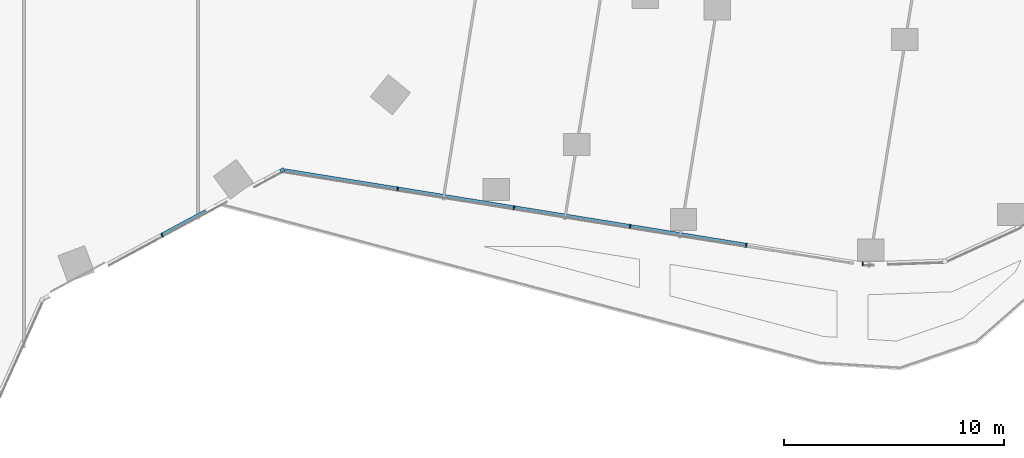
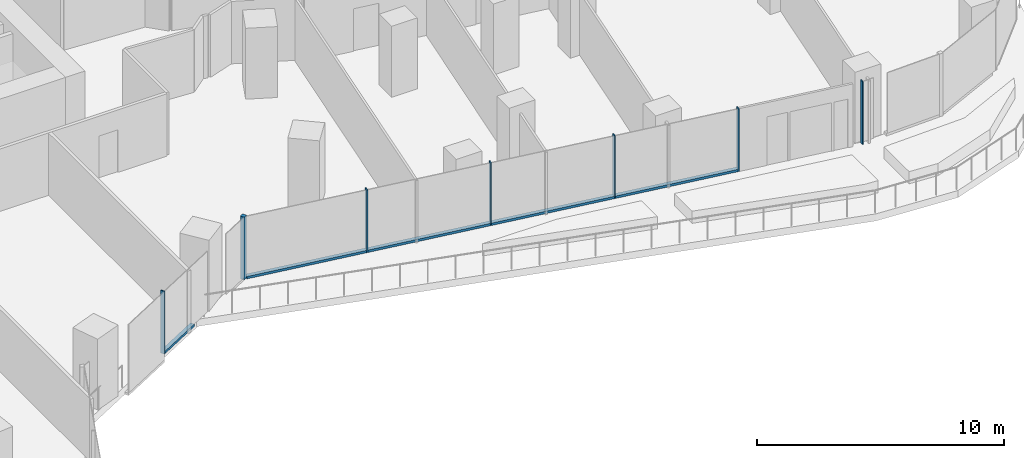
# One storey, part 7 of 32: 9 members, 2 elements without a shape of their own.
"""IFC4 building model written with IfcOpenShell, lengths in metres."""

import ifcopenshell
import ifcopenshell.guid

model = None  # the IFC model being written
_history = None  # IfcOwnerHistory: only IFC2X3 demands one
_inside = {}  # id of a spatial element -> (the spatial element, [elements in it])
_under = {}  # id of a project, library or spatial element -> (it, [spatial elements below it])
_declared = {}  # id of a project -> (the project, [libraries it declares])
_typed = {}  # id of a type object -> (the type object, [elements of that type])
_made_of = {}  # id of a material, layer set ... -> (it, [elements and type objects made of it])


def new_model(schema):
    """Start an empty IFC model of exactly this schema.

    Asked for "IFC4X3", IfcOpenShell would pick the latest addendum, in which some entities
    have other attributes; the version numbers below select the first issue.
    IFC2X3 requires an IfcOwnerHistory on every rooted entity: one is made here for all.
    """
    global model, _history
    if schema == "IFC4X3":
        model = ifcopenshell.file(schema_version=(4, 3, 0, 0))
    else:
        model = ifcopenshell.file(schema=schema)
    _inside.clear()
    _under.clear()
    _declared.clear()
    _typed.clear()
    _made_of.clear()
    _history = None
    if model.schema == "IFC2X3":
        org = make("IfcOrganization", Name="unknown")
        user = make(
            "IfcPersonAndOrganization",
            ThePerson=make("IfcPerson", FamilyName="unknown"),
            TheOrganization=org,
        )
        app = make(
            "IfcApplication",
            ApplicationDeveloper=org,
            Version="unknown",
            ApplicationFullName="unknown",
            ApplicationIdentifier="unknown",
        )
        _history = make(
            "IfcOwnerHistory",
            OwningUser=user,
            OwningApplication=app,
            ChangeAction="ADDED",
            CreationDate=0,
        )
    return model


def make(cls, **values):
    """One entity of the class cls with the attributes given. An attribute that is None is left unset."""
    return model.create_entity(
        cls, **{name: value for name, value in values.items() if value is not None}
    )


def rooted(cls, **values):
    """An entity with a GlobalId (a new one), such as an element, a storey or a relation."""
    return make(cls, GlobalId=ifcopenshell.guid.new(), OwnerHistory=_history, **values)


def si_unit(unit_type, name, prefix=None):
    """IfcSIUnit, for example si_unit("LENGTHUNIT", "METRE", prefix="MILLI")."""
    return make("IfcSIUnit", UnitType=unit_type, Prefix=prefix, Name=name)


def assignment(units):
    """IfcUnitAssignment: the units of a project."""
    return None if units is None else make("IfcUnitAssignment", Units=units)


def point(xyz):
    """IfcCartesianPoint."""
    return None if xyz is None else make("IfcCartesianPoint", Coordinates=xyz)


def direction(xyz):
    """IfcDirection."""
    return None if xyz is None else make("IfcDirection", DirectionRatios=xyz)


def frame(location, z_axis=None, x_axis=None):
    """IfcAxis2Placement3D, a coordinate frame: its origin and axes. An axis left out is left unset."""
    return make(
        "IfcAxis2Placement3D",
        Location=point(location),
        Axis=direction(z_axis),
        RefDirection=direction(x_axis),
    )


def frame_2d(location, x_axis=None):
    """IfcAxis2Placement2D, a coordinate frame in the plane: its origin and x axis."""
    return make(
        "IfcAxis2Placement2D", Location=point(location), RefDirection=direction(x_axis)
    )


def origin():
    """The frame at (0, 0, 0) with its axes left unset."""
    return frame((0.0, 0.0, 0.0))


def origin_2d():
    """The frame at (0, 0) in the plane with its x axis left unset."""
    return frame_2d((0.0, 0.0))


def place(relative_to, where):
    """IfcLocalPlacement: puts the frame where relative to a parent placement (None: the world)."""
    return make(
        "IfcLocalPlacement", PlacementRelTo=relative_to, RelativePlacement=where
    )


def context(
    kind, dimensions, precision=None, world=None, true_north=None, identifier=None
):
    """IfcGeometricRepresentationContext, for example the 3D "Model" context."""
    return make(
        "IfcGeometricRepresentationContext",
        ContextIdentifier=identifier,
        ContextType=kind,
        CoordinateSpaceDimension=dimensions,
        Precision=precision,
        WorldCoordinateSystem=world,
        TrueNorth=true_north,
    )


def subcontext(parent, identifier, kind, view, scale=None):
    """IfcGeometricRepresentationSubContext, for example "Body" below "Model"."""
    return make(
        "IfcGeometricRepresentationSubContext",
        ContextIdentifier=identifier,
        ContextType=kind,
        ParentContext=parent,
        TargetScale=scale,
        TargetView=view,
    )


def project(units=None, contexts=None):
    """IfcProject with its units and contexts."""
    return rooted(
        "IfcProject",
        Name="project",
        RepresentationContexts=contexts,
        UnitsInContext=assignment(units),
    )


def spatial(cls, under=None, at=None, **own):
    """A site, building, storey or space (cls), placed at a placement, below another one or the project."""
    s = rooted(cls, ObjectPlacement=at, **own)
    if under is not None:
        _under.setdefault(under.id(), (under, []))[1].append(s)
    return s


def profile(cls, at=None, kind="AREA", **sizes):
    """A parametric profile (cls). Its sizes go by their IFC names, for example OverallWidth=200.0."""
    return make(cls, ProfileType=kind, Position=at, **sizes)


def rectangle(**sizes):
    """IfcRectangleProfileDef."""
    return profile("IfcRectangleProfileDef", **sizes)


def extrude(swept, where, along, depth):
    """IfcExtrudedAreaSolid: the profile swept, set in the frame where, extruded along a direction by depth."""
    return make(
        "IfcExtrudedAreaSolid",
        SweptArea=swept,
        Position=where,
        ExtrudedDirection=direction(along),
        Depth=depth,
    )


def shape(context_of_items, identifier, shape_type, items):
    """IfcShapeRepresentation: the items that make up one representation, for example the "Body"."""
    return make(
        "IfcShapeRepresentation",
        ContextOfItems=context_of_items,
        RepresentationIdentifier=identifier,
        RepresentationType=shape_type,
        Items=items,
    )


def material(Name=None, Category=None):
    """IfcMaterial."""
    return make("IfcMaterial", Name=Name, Category=Category)


def material_profile(
    of_material, cross_section, Name=None, Category=None, Priority=None
):
    """IfcMaterialProfile: a cross section and its material."""
    return make(
        "IfcMaterialProfile",
        Name=Name,
        Material=of_material,
        Profile=cross_section,
        Priority=Priority,
        Category=Category,
    )


def profile_set(profiles, Name=None, composite=None):
    """IfcMaterialProfileSet."""
    return make(
        "IfcMaterialProfileSet",
        Name=Name,
        MaterialProfiles=profiles,
        CompositeProfile=composite,
    )


def made_of(thing, what):
    """Note that an element or type object is made of a material, layer set ...; save() writes the relation."""
    if what is not None:
        _made_of.setdefault(what.id(), (what, []))[1].append(thing)
    return thing


def type_object(cls, material=None, **own):
    """A type object (cls), such as IfcWallType, which elements share."""
    return made_of(rooted(cls, **own), material)


def element(
    cls,
    number,
    at=None,
    inside=None,
    cuts=None,
    type_object=None,
    material=None,
    context=None,
    identifier="Body",
    shape_type=None,
    held_by="IfcProductDefinitionShape",
    body=None,
    shapes=None,
    **own,
):
    """One element of the class cls, such as IfcWall. Its Tag is "e" and its number.

    at: its placement. inside: the storey or other place that contains it. cuts: it is an
    opening in that element (IfcRelVoidsElement). A single representation is given by context,
    identifier, shape_type and body (its items); several are given by shapes. held_by: the class
    of the entity that holds the representations. save() writes the other relations.
    """
    e = rooted(cls, Tag="e%d" % number, ObjectPlacement=at, **own)
    if body is not None:
        shapes = [shape(context, identifier, shape_type, body)]
    if shapes is not None:
        e.Representation = make(held_by, Representations=shapes)
    if inside is not None:
        _inside.setdefault(inside.id(), (inside, []))[1].append(e)
    if cuts is not None:
        rooted(
            "IfcRelVoidsElement", RelatingBuildingElement=cuts, RelatedOpeningElement=e
        )
    if type_object is not None:
        _typed.setdefault(type_object.id(), (type_object, []))[1].append(e)
    return made_of(e, material)


def aggregate(whole, parts):
    """IfcRelAggregates: a whole, such as a stair, and the parts it consists of."""
    return rooted("IfcRelAggregates", RelatingObject=whole, RelatedObjects=parts)


def save(model, path):
    """Write the relations noted so far, then the file.

    IfcRelAggregates (storeys below a building ...), IfcRelContainedInSpatialStructure (elements
    in a storey), IfcRelDefinesByType, IfcRelAssociatesMaterial and IfcRelDeclares: one each for
    every whole, place, type object, material and project.
    """
    for whole, parts in _under.values():
        aggregate(whole, parts)
    for where, things in _inside.values():
        rooted(
            "IfcRelContainedInSpatialStructure",
            RelatedElements=things,
            RelatingStructure=where,
        )
    for kind, things in _typed.values():
        rooted("IfcRelDefinesByType", RelatedObjects=things, RelatingType=kind)
    for what, things in _made_of.values():
        rooted("IfcRelAssociatesMaterial", RelatedObjects=things, RelatingMaterial=what)
    for by, libraries in _declared.values():
        rooted("IfcRelDeclares", RelatingContext=by, RelatedDefinitions=libraries)
    model.write(path)


model = new_model("IFC4")

# Units and contexts
model_context = context("Model", 3, precision=1e-05, world=origin(), true_north=direction((0.0, 1.0)))
body_context = subcontext(model_context, "Body", "Model", "MODEL_VIEW")
ifc_project = project(units=[si_unit("LENGTHUNIT", "METRE"), si_unit("AREAUNIT", "SQUARE_METRE"), si_unit("VOLUMEUNIT", "CUBIC_METRE"), si_unit("PLANEANGLEUNIT", "RADIAN"), si_unit("MASSUNIT", "GRAM", prefix="KILO")], contexts=[model_context])

# Site, building, storey
site_placement = place(None, origin())
site = spatial("IfcSite", under=ifc_project, at=site_placement, CompositionType="ELEMENT")
building_placement = place(site_placement, origin())
building = spatial("IfcBuilding", under=site, at=building_placement, Name="Orlundy Tower", CompositionType="ELEMENT")
storey_placement = place(building_placement, frame((0.0, 0.0, 123.699951171875)))
storey = spatial("IfcBuildingStorey", under=building, at=storey_placement, Name="L31", CompositionType="ELEMENT", Elevation=123.699951171875)

# Curtain wall, member
ifc_material_1 = material(Name="Aluminium bronze anodised", Category="aluminium")
curtain_wall_type = type_object("IfcCurtainWallType", Name="CW1 wall", PredefinedType="NOTDEFINED", material=ifc_material_1)
curtain_wall_1_placement = place(storey_placement, origin())
curtain_wall_1 = element("IfcCurtainWall", 1, at=curtain_wall_1_placement, inside=storey, type_object=curtain_wall_type, Name="CW1 run 017", PredefinedType="NOTDEFINED")
ifc_material_2 = material(Name="Aluminium bronze anodised", Category="aluminium")
ifc_material_profile_1 = material_profile(ifc_material_2, rectangle(XDim=0.179931640625, YDim=0.179931640625, at=origin_2d()), Name="CW1 corner post 180x180")
ifc_profile_set_1 = profile_set([ifc_material_profile_1], Name="Aluminium bronze anodised")
member_type_1 = type_object("IfcMemberType", Name="CW1 corner post 180x180", PredefinedType="MULLION", material=ifc_profile_set_1)
member_1_placement = place(storey_placement, frame((19.748779296875, -23.53662109375, 0.0), z_axis=(0.0, 0.0, 1.0), x_axis=(0.474615553081, -0.88019320423, 0.0)))
member_1 = element("IfcMember", 2, at=member_1_placement, type_object=member_type_1, Name="CW1 mullion 49", PredefinedType="MULLION", context=body_context, shape_type="SweptSolid", body=[
    extrude(rectangle(XDim=0.179931640625, YDim=0.179931640625, at=origin_2d()), origin(), (0.0, 0.0, 1.0), 3.10009765625),
])

# Curtain wall, members
curtain_wall_2_placement = place(storey_placement, origin())
curtain_wall_2 = element("IfcCurtainWall", 3, at=curtain_wall_2_placement, inside=storey, type_object=curtain_wall_type, Name="CW1 run 016", PredefinedType="NOTDEFINED")
ifc_material_3 = material(Name="Aluminium bronze anodised", Category="aluminium")
ifc_material_profile_2 = material_profile(ifc_material_3, rectangle(XDim=0.179931640625, YDim=0.050048828125, at=origin_2d()), Name="CW1 mullion 50x180")
ifc_profile_set_2 = profile_set([ifc_material_profile_2], Name="Aluminium bronze anodised")
member_type_2 = type_object("IfcMemberType", Name="CW1 mullion 50x180", PredefinedType="MULLION", material=ifc_profile_set_2)
member_2_placement = place(storey_placement, frame((46.16943359375, -27.80029296875, 0.0), z_axis=(0.0, 0.0, 1.0), x_axis=(-0.061746522644, -0.998091862977, 0.0)))
member_2 = element("IfcMember", 4, at=member_2_placement, type_object=member_type_2, Name="CW1 mullion 44", PredefinedType="MULLION", context=body_context, shape_type="SweptSolid", body=[
    extrude(rectangle(XDim=0.179931640625, YDim=0.050048828125, at=origin_2d()), origin(), (0.0, 0.0, 1.0), 3.10009765625),
])
member_3_placement = place(storey_placement, frame((40.872314453125, -26.945556640625, 0.0), z_axis=(0.0, 0.0, 1.0), x_axis=(-0.159311085453, -0.987228432558, 0.0)))
member_3 = element("IfcMember", 5, at=member_3_placement, type_object=member_type_2, Name="CW1 mullion 45", PredefinedType="MULLION", context=body_context, shape_type="SweptSolid", body=[
    extrude(rectangle(XDim=0.179931640625, YDim=0.050048828125, at=origin_2d()), origin(), (0.0, 0.0, 1.0), 3.10009765625),
])
member_4_placement = place(storey_placement, frame((35.583740234375, -26.092041015625, 0.0), z_axis=(0.0, 0.0, 1.0), x_axis=(-0.159311085453, -0.987228432558, 0.0)))
member_4 = element("IfcMember", 6, at=member_4_placement, type_object=member_type_2, Name="CW1 mullion 46", PredefinedType="MULLION", context=body_context, shape_type="SweptSolid", body=[
    extrude(rectangle(XDim=0.179931640625, YDim=0.050048828125, at=origin_2d()), origin(), (0.0, 0.0, 1.0), 3.10009765625),
])
member_5_placement = place(storey_placement, frame((30.29541015625, -25.23876953125, 0.0), z_axis=(0.0, 0.0, 1.0), x_axis=(-0.159311085453, -0.987228432558, 0.0)))
member_5 = element("IfcMember", 7, at=member_5_placement, type_object=member_type_2, Name="CW1 mullion 47", PredefinedType="MULLION", context=body_context, shape_type="SweptSolid", body=[
    extrude(rectangle(XDim=0.179931640625, YDim=0.050048828125, at=origin_2d()), origin(), (0.0, 0.0, 1.0), 3.10009765625),
])
member_6_placement = place(storey_placement, frame((25.007080078125, -24.38525390625, 0.0), z_axis=(0.0, 0.0, 1.0), x_axis=(-0.159311085453, -0.987228432558, 0.0)))
member_6 = element("IfcMember", 8, at=member_6_placement, type_object=member_type_2, Name="CW1 mullion 48", PredefinedType="MULLION", context=body_context, shape_type="SweptSolid", body=[
    extrude(rectangle(XDim=0.179931640625, YDim=0.050048828125, at=origin_2d()), origin(), (0.0, 0.0, 1.0), 3.10009765625),
])

# Member
member_7_placement = place(storey_placement, frame((14.28076171875, -26.485107421875, 0.0), z_axis=(0.0, 0.0, 1.0), x_axis=(0.474615553081, -0.88019320423, 0.0)))
member_7 = element("IfcMember", 9, at=member_7_placement, type_object=member_type_2, Name="CW1 mullion 50", PredefinedType="MULLION", context=body_context, shape_type="SweptSolid", body=[
    extrude(rectangle(XDim=0.179931640625, YDim=0.050048828125, at=origin_2d()), origin(), (0.0, 0.0, 1.0), 3.10009765625),
])

ifc_material_4 = material(Name="Aluminium bronze anodised", Category="aluminium")
ifc_material_profile_3 = material_profile(ifc_material_4, rectangle(XDim=0.179931640625, YDim=0.1201171875, at=origin_2d()), Name="CW1 transom 180x120")
ifc_profile_set_3 = profile_set([ifc_material_profile_3], Name="Aluminium bronze anodised")
member_type_3 = type_object("IfcMemberType", Name="CW1 transom 180x120", PredefinedType="USERDEFINED", material=ifc_profile_set_3)
member_8_placement = place(storey_placement, frame((40.84765625, -26.94140625, 0.06005859375), z_axis=(-0.987228188692, 0.159312596654, 0.0), x_axis=(-0.159312596654, -0.987228188692, 0.0)))
member_8 = element("IfcMember", 10, at=member_8_placement, type_object=member_type_3, Name="CW1 transom", ObjectType="TRANSOM", PredefinedType="USERDEFINED", context=body_context, shape_type="SweptSolid", body=[
    extrude(rectangle(XDim=0.179931640625, YDim=0.1201171875, at=origin_2d()), origin(), (0.0, 0.0, 1.0), 21.25830078125),
])

aggregate(curtain_wall_2, [member_2, member_3, member_4, member_5, member_6, member_8])

member_9_placement = place(storey_placement, frame((16.288330078125, -25.402587890625, 0.06005859375), z_axis=(-0.880168594627, -0.474661189725, 0.0), x_axis=(0.474661189725, -0.880168594627, 0.0)))
member_9 = element("IfcMember", 11, at=member_9_placement, type_object=member_type_3, Name="CW1 transom", ObjectType="TRANSOM", PredefinedType="USERDEFINED", context=body_context, shape_type="SweptSolid", body=[
    extrude(rectangle(XDim=0.179931640625, YDim=0.1201171875, at=origin_2d()), origin(), (0.0, 0.0, 1.0), 2.255859375),
])

aggregate(curtain_wall_1, [member_1, member_7, member_9])

save(model, "model.ifc")
